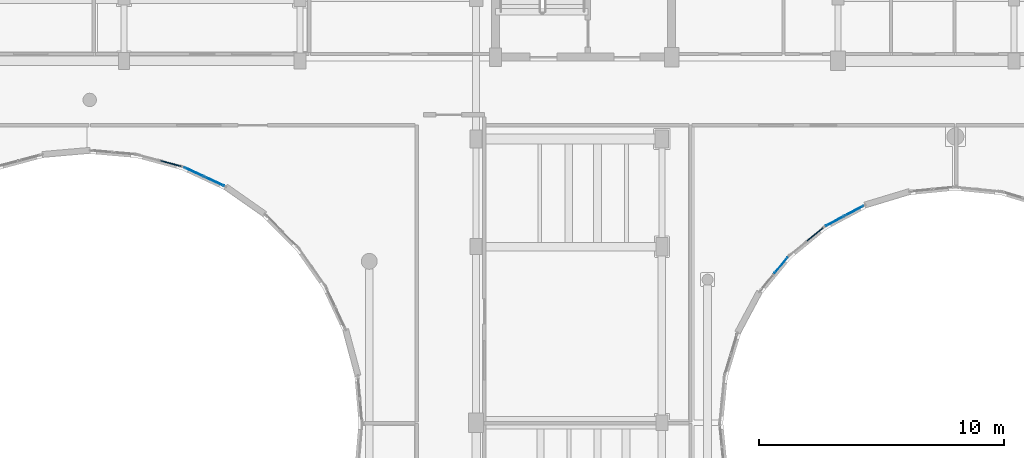
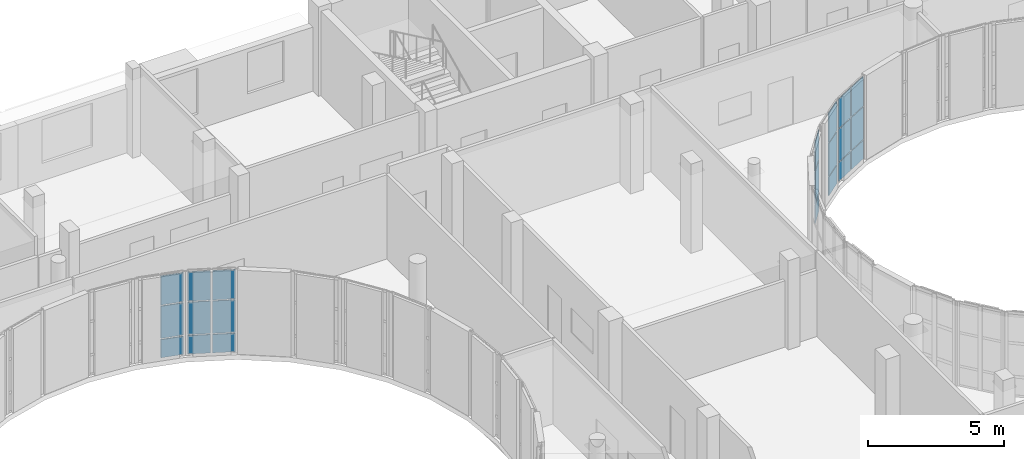
# One storey, part 60 of 92: 21 plates, 5 elements without a shape of their own.
"""IFC4 building model written with IfcOpenShell, lengths in metres."""

from ifc_helpers import new_model, si_unit, direction, frame, origin, origin_2d, place, context, subcontext, project, spatial, rectangle, extrude, material, layer, layer_set, type_object, element, aggregate, save


model = new_model("IFC4")

# Units and contexts
model_context = context("Model", 3, precision=1e-05, world=origin(), true_north=direction((0.0, 1.0)))
body_context = subcontext(model_context, "Body", "Model", "MODEL_VIEW")
ifc_project = project(units=[si_unit("LENGTHUNIT", "METRE"), si_unit("AREAUNIT", "SQUARE_METRE"), si_unit("VOLUMEUNIT", "CUBIC_METRE"), si_unit("PLANEANGLEUNIT", "RADIAN"), si_unit("MASSUNIT", "GRAM", prefix="KILO")], contexts=[model_context])

# Site, building, storey
site_placement = place(None, origin())
site = spatial("IfcSite", under=ifc_project, at=site_placement, CompositionType="ELEMENT")
building_placement = place(site_placement, origin())
building = spatial("IfcBuilding", under=site, at=building_placement, Name="Kelanivale Promenade Academy", CompositionType="ELEMENT")
storey_placement = place(building_placement, frame((0.0, 0.0, 8.199951171875)))
storey = spatial("IfcBuildingStorey", under=building, at=storey_placement, Name="L02", CompositionType="ELEMENT", Elevation=8.199951171875)

# Curtain wall, plates
ifc_material_1 = material(Name="Bronze anodised aluminium and solar-control low-E glass", Category="aluminium")
ifc_layer_1 = layer(ifc_material_1, 0.169921875)
ifc_layer_set_1 = layer_set([ifc_layer_1], Name="Bronze anodised aluminium and solar-control low-E glass")
curtain_wall_type_1 = type_object("IfcCurtainWallType", Name="CW-16 Curtain Wall 1800mm Module", PredefinedType="USERDEFINED", material=ifc_layer_set_1)
curtain_wall_1_placement = place(storey_placement, origin())
curtain_wall_1 = element("IfcCurtainWall", 1, at=curtain_wall_1_placement, inside=storey, type_object=curtain_wall_type_1, Name="L02 courtyard curtain wall CW-16", ObjectType="COURTYARD SCREEN GLAZING", PredefinedType="USERDEFINED")
ifc_material_2 = material(Name="Solar-control double glazing 28 mm", Category="glass")
ifc_layer_2 = layer(ifc_material_2, 0.028076171875)
ifc_layer_set_2 = layer_set([ifc_layer_2], Name="Solar-control double glazing 28 mm")
plate_type_1 = type_object("IfcPlateType", Name="CWP-01 Plate 28mm", PredefinedType="CURTAIN_PANEL", material=ifc_layer_set_2)
plate_1_placement = place(storey_placement, frame((91.6708984375, 63.237548828125, 0.06005859375), z_axis=(0.0, 0.0, 1.0), x_axis=(-0.634092539482, -0.773257170269, 0.0)))
plate_1 = element("IfcPlate", 2, at=plate_1_placement, type_object=plate_type_1, Name="CW-16 panel 1.1", PredefinedType="CURTAIN_PANEL", context=body_context, shape_type="SweptSolid", body=[
    extrude(rectangle(XDim=0.825927734375, YDim=0.028076171875, at=origin_2d()), origin(), (0.0, 0.0, 1.0), 0.81005859375),
])
plate_2_placement = place(storey_placement, frame((91.6708984375, 63.237548828125, 0.93017578125), z_axis=(0.0, 0.0, 1.0), x_axis=(-0.634092539482, -0.773257170269, 0.0)))
plate_2 = element("IfcPlate", 3, at=plate_2_placement, type_object=plate_type_1, Name="CW-16 panel 1.2", PredefinedType="CURTAIN_PANEL", context=body_context, shape_type="SweptSolid", body=[
    extrude(rectangle(XDim=0.825927734375, YDim=0.028076171875, at=origin_2d()), origin(), (0.0, 0.0, 1.0), 1.43994140625),
])
plate_3_placement = place(storey_placement, frame((91.6708984375, 63.237548828125, 2.429931640625), z_axis=(0.0, 0.0, 1.0), x_axis=(-0.634092539482, -0.773257170269, 0.0)))
plate_3 = element("IfcPlate", 4, at=plate_3_placement, type_object=plate_type_1, Name="CW-16 panel 1.3", PredefinedType="CURTAIN_PANEL", context=body_context, shape_type="SweptSolid", body=[
    extrude(rectangle(XDim=0.825927734375, YDim=0.028076171875, at=origin_2d()), origin(), (0.0, 0.0, 1.0), 1.2900390625),
])
aggregate(curtain_wall_1, [plate_1, plate_2, plate_3])

ifc_layer_3 = layer(ifc_material_1, 0.179931640625)
ifc_layer_set_3 = layer_set([ifc_layer_3], Name="Bronze anodised aluminium and solar-control low-E glass")
curtain_wall_type_2 = type_object("IfcCurtainWallType", Name="CW-14 Curtain Wall 1500mm Module", PredefinedType="USERDEFINED", material=ifc_layer_set_3)
curtain_wall_2_placement = place(storey_placement, origin())
curtain_wall_2 = element("IfcCurtainWall", 5, at=curtain_wall_2_placement, inside=storey, type_object=curtain_wall_type_2, Name="L02 courtyard curtain wall CW-14", ObjectType="COURTYARD SCREEN GLAZING", PredefinedType="USERDEFINED")
ifc_material_3 = material(Name="Acoustic laminated double glazing 36 mm", Category="glass")
ifc_layer_4 = layer(ifc_material_3, 0.035888671875)
ifc_layer_set_4 = layer_set([ifc_layer_4], Name="Acoustic laminated double glazing 36 mm")
plate_type_2 = type_object("IfcPlateType", Name="CWP-02 Plate 36mm", PredefinedType="CURTAIN_PANEL", material=ifc_layer_set_4)
plate_4_placement = place(storey_placement, frame((94.665283203125, 65.46826171875, 0.05029296875), z_axis=(0.0, 0.0, 1.0), x_axis=(-0.881978204448, -0.471290193914, 0.0)))
plate_4 = element("IfcPlate", 6, at=plate_4_placement, type_object=plate_type_2, Name="CW-14 panel 1.1", PredefinedType="CURTAIN_PANEL", context=body_context, shape_type="SweptSolid", body=[
    extrude(rectangle(XDim=0.833984375, YDim=0.035888671875, at=origin_2d()), origin(), (0.0, 0.0, 1.0), 0.824951171875),
])
plate_5_placement = place(storey_placement, frame((94.665283203125, 65.46826171875, 0.92529296875), z_axis=(0.0, 0.0, 1.0), x_axis=(-0.881978204448, -0.471290193914, 0.0)))
plate_5 = element("IfcPlate", 7, at=plate_5_placement, type_object=plate_type_2, Name="CW-14 panel 1.2", PredefinedType="CURTAIN_PANEL", context=body_context, shape_type="SweptSolid", body=[
    extrude(rectangle(XDim=0.833984375, YDim=0.035888671875, at=origin_2d()), origin(), (0.0, 0.0, 1.0), 1.449951171875),
])
plate_6_placement = place(storey_placement, frame((94.665283203125, 65.46826171875, 2.42529296875), z_axis=(0.0, 0.0, 1.0), x_axis=(-0.881978204448, -0.471290193914, 0.0)))
plate_6 = element("IfcPlate", 8, at=plate_6_placement, type_object=plate_type_2, Name="CW-14 panel 1.3", PredefinedType="CURTAIN_PANEL", context=body_context, shape_type="SweptSolid", body=[
    extrude(rectangle(XDim=0.833984375, YDim=0.035888671875, at=origin_2d()), origin(), (0.0, 0.0, 1.0), 1.304931640625),
])
plate_7_placement = place(storey_placement, frame((93.876708984375, 65.046875, 0.05029296875), z_axis=(0.0, 0.0, 1.0), x_axis=(-0.881978204448, -0.471290193914, 0.0)))
plate_7 = element("IfcPlate", 9, at=plate_7_placement, type_object=plate_type_2, Name="CW-14 panel 2.1", PredefinedType="CURTAIN_PANEL", context=body_context, shape_type="SweptSolid", body=[
    extrude(rectangle(XDim=0.833984375, YDim=0.035888671875, at=origin_2d()), origin(), (0.0, 0.0, 1.0), 0.824951171875),
])
plate_8_placement = place(storey_placement, frame((93.876708984375, 65.046875, 0.92529296875), z_axis=(0.0, 0.0, 1.0), x_axis=(-0.881978204448, -0.471290193914, 0.0)))
plate_8 = element("IfcPlate", 10, at=plate_8_placement, type_object=plate_type_2, Name="CW-14 panel 2.2", PredefinedType="CURTAIN_PANEL", context=body_context, shape_type="SweptSolid", body=[
    extrude(rectangle(XDim=0.833984375, YDim=0.035888671875, at=origin_2d()), origin(), (0.0, 0.0, 1.0), 1.449951171875),
])
plate_9_placement = place(storey_placement, frame((93.876708984375, 65.046875, 2.42529296875), z_axis=(0.0, 0.0, 1.0), x_axis=(-0.881978204448, -0.471290193914, 0.0)))
plate_9 = element("IfcPlate", 11, at=plate_9_placement, type_object=plate_type_2, Name="CW-14 panel 2.3", PredefinedType="CURTAIN_PANEL", context=body_context, shape_type="SweptSolid", body=[
    extrude(rectangle(XDim=0.833984375, YDim=0.035888671875, at=origin_2d()), origin(), (0.0, 0.0, 1.0), 1.304931640625),
])
aggregate(curtain_wall_2, [plate_4, plate_5, plate_6, plate_7, plate_8, plate_9])

ifc_layer_5 = layer(ifc_material_1, 0.179931640625)
ifc_layer_set_5 = layer_set([ifc_layer_5], Name="Bronze anodised aluminium and solar-control low-E glass")
curtain_wall_type_3 = type_object("IfcCurtainWallType", Name="CW-11 Curtain Wall 1950mm Module", PredefinedType="USERDEFINED", material=ifc_layer_set_5)
curtain_wall_3_placement = place(storey_placement, origin())
curtain_wall_3 = element("IfcCurtainWall", 12, at=curtain_wall_3_placement, inside=storey, type_object=curtain_wall_type_3, Name="L02 courtyard curtain wall CW-11", ObjectType="UNITISED GLAZING", PredefinedType="USERDEFINED")
plate_10_placement = place(storey_placement, frame((68.499267578125, 66.667236328125, 0.05029296875), z_axis=(0.0, 0.0, 1.0), x_axis=(-0.906089128146, 0.423086860887, 0.0)))
plate_10 = element("IfcPlate", 13, at=plate_10_placement, type_object=plate_type_2, Name="CW-11 panel 1.1", PredefinedType="CURTAIN_PANEL", context=body_context, shape_type="SweptSolid", body=[
    extrude(rectangle(XDim=0.853759765625, YDim=0.035888671875, at=origin_2d()), origin(), (0.0, 0.0, 1.0), 0.824951171875),
])
plate_11_placement = place(storey_placement, frame((68.499267578125, 66.667236328125, 0.92529296875), z_axis=(0.0, 0.0, 1.0), x_axis=(-0.906089128146, 0.423086860887, 0.0)))
plate_11 = element("IfcPlate", 14, at=plate_11_placement, type_object=plate_type_2, Name="CW-11 panel 1.2", PredefinedType="CURTAIN_PANEL", context=body_context, shape_type="SweptSolid", body=[
    extrude(rectangle(XDim=0.853759765625, YDim=0.035888671875, at=origin_2d()), origin(), (0.0, 0.0, 1.0), 1.449951171875),
])
plate_12_placement = place(storey_placement, frame((68.499267578125, 66.667236328125, 2.42529296875), z_axis=(0.0, 0.0, 1.0), x_axis=(-0.906089128146, 0.423086860887, 0.0)))
plate_12 = element("IfcPlate", 15, at=plate_12_placement, type_object=plate_type_2, Name="CW-11 panel 1.3", PredefinedType="CURTAIN_PANEL", context=body_context, shape_type="SweptSolid", body=[
    extrude(rectangle(XDim=0.853759765625, YDim=0.035888671875, at=origin_2d()), origin(), (0.0, 0.0, 1.0), 1.304931640625),
])
plate_13_placement = place(storey_placement, frame((67.666748046875, 67.055908203125, 0.05029296875), z_axis=(0.0, 0.0, 1.0), x_axis=(-0.906089128146, 0.423086860887, 0.0)))
plate_13 = element("IfcPlate", 16, at=plate_13_placement, type_object=plate_type_2, Name="CW-11 panel 2.1", PredefinedType="CURTAIN_PANEL", context=body_context, shape_type="SweptSolid", body=[
    extrude(rectangle(XDim=0.853759765625, YDim=0.035888671875, at=origin_2d()), origin(), (0.0, 0.0, 1.0), 0.824951171875),
])
plate_14_placement = place(storey_placement, frame((67.666748046875, 67.055908203125, 0.92529296875), z_axis=(0.0, 0.0, 1.0), x_axis=(-0.906089128146, 0.423086860887, 0.0)))
plate_14 = element("IfcPlate", 17, at=plate_14_placement, type_object=plate_type_2, Name="CW-11 panel 2.2", PredefinedType="CURTAIN_PANEL", context=body_context, shape_type="SweptSolid", body=[
    extrude(rectangle(XDim=0.853759765625, YDim=0.035888671875, at=origin_2d()), origin(), (0.0, 0.0, 1.0), 1.449951171875),
])
plate_15_placement = place(storey_placement, frame((67.666748046875, 67.055908203125, 2.42529296875), z_axis=(0.0, 0.0, 1.0), x_axis=(-0.906089128146, 0.423086860887, 0.0)))
plate_15 = element("IfcPlate", 18, at=plate_15_placement, type_object=plate_type_2, Name="CW-11 panel 2.3", PredefinedType="CURTAIN_PANEL", context=body_context, shape_type="SweptSolid", body=[
    extrude(rectangle(XDim=0.853759765625, YDim=0.035888671875, at=origin_2d()), origin(), (0.0, 0.0, 1.0), 1.304931640625),
])
aggregate(curtain_wall_3, [plate_10, plate_11, plate_12, plate_13, plate_14, plate_15])

ifc_layer_6 = layer(ifc_material_1, 0.159912109375)
ifc_layer_set_6 = layer_set([ifc_layer_6], Name="Bronze anodised aluminium and solar-control low-E glass")
curtain_wall_type_4 = type_object("IfcCurtainWallType", Name="CW-15 Curtain Wall 1650mm Module", PredefinedType="USERDEFINED", material=ifc_layer_set_6)
curtain_wall_4_placement = place(storey_placement, origin())
curtain_wall_4 = element("IfcCurtainWall", 19, at=curtain_wall_4_placement, inside=storey, type_object=curtain_wall_type_4, Name="L02 courtyard curtain wall CW-15", ObjectType="COURTYARD SCREEN GLAZING", PredefinedType="USERDEFINED")
ifc_material_4 = material(Name="Insulated bronze aluminium spandrel panel 44 mm", Category="aluminium")
ifc_layer_7 = layer(ifc_material_4, 0.0439453125)
ifc_layer_set_7 = layer_set([ifc_layer_7], Name="Insulated bronze aluminium spandrel panel 44 mm")
plate_type_3 = type_object("IfcPlateType", Name="CWP-03 Plate 44mm", PredefinedType="CURTAIN_PANEL", material=ifc_layer_set_7)
plate_16_placement = place(storey_placement, frame((93.060546875, 64.50146484375, 0.05029296875), z_axis=(0.0, 0.0, 1.0), x_axis=(-0.773215132597, -0.634143799719, 0.0)))
plate_16 = element("IfcPlate", 20, at=plate_16_placement, type_object=plate_type_3, Name="CW-15 panel 1.1", PredefinedType="CURTAIN_PANEL", context=body_context, shape_type="SweptSolid", body=[
    extrude(rectangle(XDim=0.833740234375, YDim=0.0439453125, at=origin_2d()), origin(), (0.0, 0.0, 1.0), 0.824951171875),
])
plate_17_placement = place(storey_placement, frame((93.060546875, 64.50146484375, 0.92529296875), z_axis=(0.0, 0.0, 1.0), x_axis=(-0.773215132597, -0.634143799719, 0.0)))
plate_17 = element("IfcPlate", 21, at=plate_17_placement, type_object=plate_type_3, Name="CW-15 panel 1.2", PredefinedType="CURTAIN_PANEL", context=body_context, shape_type="SweptSolid", body=[
    extrude(rectangle(XDim=0.833740234375, YDim=0.0439453125, at=origin_2d()), origin(), (0.0, 0.0, 1.0), 1.449951171875),
])
plate_18_placement = place(storey_placement, frame((93.060546875, 64.50146484375, 2.42529296875), z_axis=(0.0, 0.0, 1.0), x_axis=(-0.773215132597, -0.634143799719, 0.0)))
plate_18 = element("IfcPlate", 22, at=plate_18_placement, type_object=plate_type_3, Name="CW-15 panel 1.3", PredefinedType="CURTAIN_PANEL", context=body_context, shape_type="SweptSolid", body=[
    extrude(rectangle(XDim=0.833740234375, YDim=0.0439453125, at=origin_2d()), origin(), (0.0, 0.0, 1.0), 1.304931640625),
])
aggregate(curtain_wall_4, [plate_16, plate_17, plate_18])

ifc_layer_8 = layer(ifc_material_1, 0.159912109375)
ifc_layer_set_8 = layer_set([ifc_layer_8], Name="Bronze anodised aluminium and solar-control low-E glass")
curtain_wall_type_5 = type_object("IfcCurtainWallType", Name="CW-12 Curtain Wall 1200mm Module", PredefinedType="USERDEFINED", material=ifc_layer_set_8)
curtain_wall_5_placement = place(storey_placement, origin())
curtain_wall_5 = element("IfcCurtainWall", 23, at=curtain_wall_5_placement, inside=storey, type_object=curtain_wall_type_5, Name="L02 courtyard curtain wall CW-12", ObjectType="UNITISED GLAZING", PredefinedType="USERDEFINED")
plate_19_placement = place(storey_placement, frame((66.71923828125, 67.400146484375, 0.06005859375), z_axis=(0.0, 0.0, 1.0), x_axis=(-0.96595736195, 0.258701323721, 0.0)))
plate_19 = element("IfcPlate", 24, at=plate_19_placement, type_object=plate_type_3, Name="CW-12 panel 1.1", PredefinedType="CURTAIN_PANEL", context=body_context, shape_type="SweptSolid", body=[
    extrude(rectangle(XDim=0.861083984375, YDim=0.0439453125, at=origin_2d()), origin(), (0.0, 0.0, 1.0), 0.81005859375),
])
plate_20_placement = place(storey_placement, frame((66.71923828125, 67.400146484375, 0.93017578125), z_axis=(0.0, 0.0, 1.0), x_axis=(-0.96595736195, 0.258701323721, 0.0)))
plate_20 = element("IfcPlate", 25, at=plate_20_placement, type_object=plate_type_3, Name="CW-12 panel 1.2", PredefinedType="CURTAIN_PANEL", context=body_context, shape_type="SweptSolid", body=[
    extrude(rectangle(XDim=0.861083984375, YDim=0.0439453125, at=origin_2d()), origin(), (0.0, 0.0, 1.0), 1.43994140625),
])
plate_21_placement = place(storey_placement, frame((66.71923828125, 67.400146484375, 2.429931640625), z_axis=(0.0, 0.0, 1.0), x_axis=(-0.96595736195, 0.258701323721, 0.0)))
plate_21 = element("IfcPlate", 26, at=plate_21_placement, type_object=plate_type_3, Name="CW-12 panel 1.3", PredefinedType="CURTAIN_PANEL", context=body_context, shape_type="SweptSolid", body=[
    extrude(rectangle(XDim=0.861083984375, YDim=0.0439453125, at=origin_2d()), origin(), (0.0, 0.0, 1.0), 1.2900390625),
])
aggregate(curtain_wall_5, [plate_19, plate_20, plate_21])

save(model, "model.ifc")
